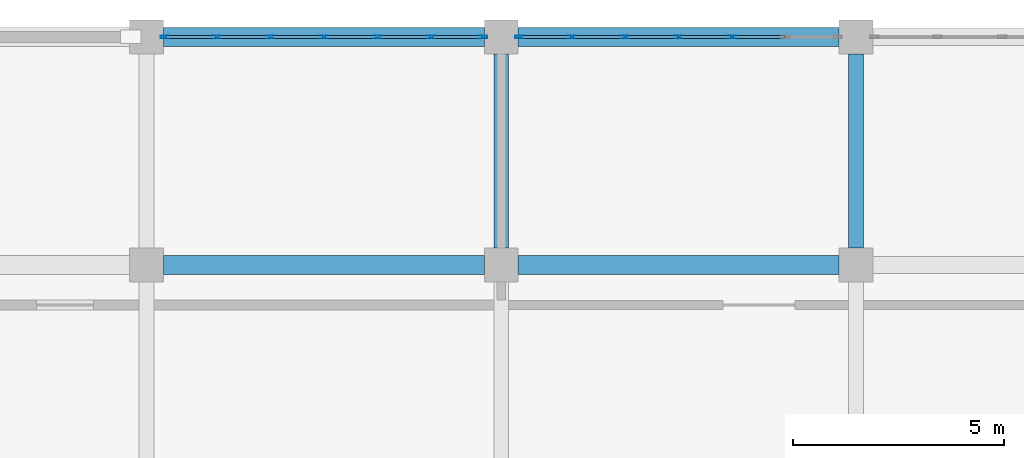
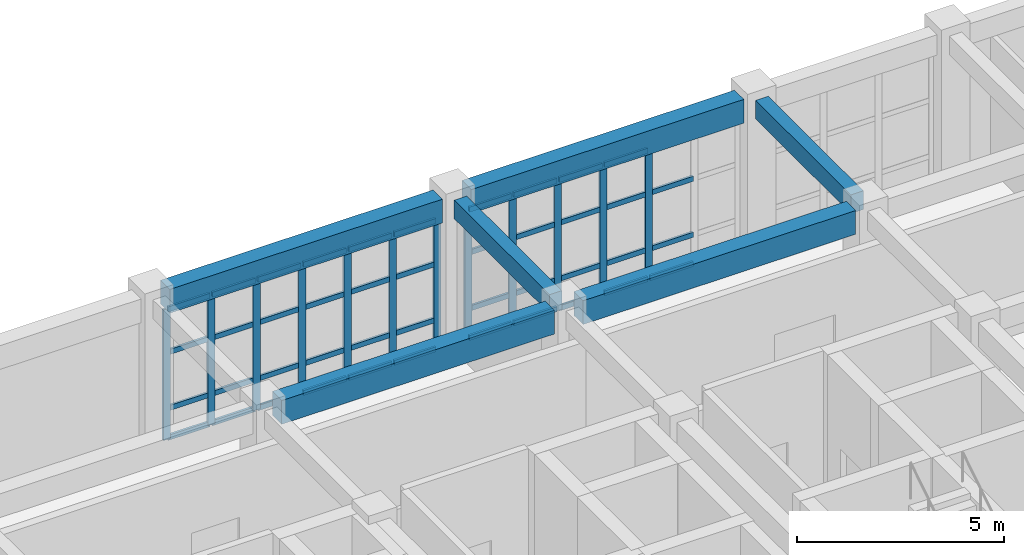
# One storey, part 49 of 76: 55 members, 6 beams, 2 elements without a shape of their own.
"""IFC4 building model written with IfcOpenShell, lengths in metres."""

from ifc_helpers import new_model, si_unit, direction, frame, origin, origin_2d, place, context, subcontext, project, spatial, rectangle, hollow_rectangle, extrude, material, layer, layer_set, material_profile, profile_set, type_object, element, aggregate, save


model = new_model("IFC4")

# Units and contexts
model_context = context("Model", 3, precision=1e-05, world=origin(), true_north=direction((0.0, 1.0)))
body_context = subcontext(model_context, "Body", "Model", "MODEL_VIEW")
ifc_project = project(units=[si_unit("LENGTHUNIT", "METRE"), si_unit("AREAUNIT", "SQUARE_METRE"), si_unit("VOLUMEUNIT", "CUBIC_METRE"), si_unit("PLANEANGLEUNIT", "RADIAN"), si_unit("MASSUNIT", "GRAM", prefix="KILO")], contexts=[model_context])

# Site, building, storey
site_placement = place(None, origin())
site = spatial("IfcSite", under=ifc_project, at=site_placement, CompositionType="ELEMENT")
building_placement = place(site_placement, origin())
building = spatial("IfcBuilding", under=site, at=building_placement, Name="Krzemoval Escarpment Law Courts", CompositionType="ELEMENT")
storey_placement = place(building_placement, frame((0.0, 0.0, 20.39990234375)))
storey = spatial("IfcBuildingStorey", under=building, at=storey_placement, Name="L04", CompositionType="ELEMENT", Elevation=20.39990234375)

# Beams
ifc_material_1 = material(Name="Concrete C40/50", Category="concrete")
ifc_material_profile_1 = material_profile(ifc_material_1, rectangle(XDim=0.35009765625, YDim=0.550048828125, at=origin_2d()), Name="RCB 350x550")
ifc_profile_set_1 = profile_set([ifc_material_profile_1], Name="Concrete C40/50")
beam_type_1 = type_object("IfcBeamType", Name="BM-RC-350x550", PredefinedType="BEAM", material=ifc_profile_set_1)
for number, where, z_axis, x_axis, name in (
    (1, (142.800048828125, 113.800048828125, 4.275146484375), (0.0, 1.0, 0.0), (-1.0, 0.0, 0.0), "Beam FG-L04-2523"),
    (2, (151.199951171875, 113.800048828125, 4.275146484375), (0.0, 1.0, 0.0), (-1.0, 0.0, 0.0), "Beam FG-L04-2527"),
):
    element("IfcBeam", number, at=place(storey_placement, frame(where, z_axis=z_axis, x_axis=x_axis)), inside=storey, type_object=beam_type_1, Name=name, PredefinedType="BEAM", context=body_context, shape_type="SweptSolid", body=[
        extrude(rectangle(XDim=0.35009765625, YDim=0.550048828125, at=origin_2d()), origin(), (0.0, 0.0, 1.0), 4.599853515625),
    ])
ifc_material_2 = material(Name="Concrete C40/50", Category="concrete")
ifc_material_profile_2 = material_profile(ifc_material_2, rectangle(XDim=0.449951171875, YDim=0.699951171875, at=origin_2d()), Name="RCB 450x700")
ifc_profile_set_2 = profile_set([ifc_material_profile_2], Name="Concrete C40/50")
beam_type_2 = type_object("IfcBeamType", Name="BM-RC-450x700", PredefinedType="BEAM", material=ifc_profile_set_2)
beam_1_placement = place(storey_placement, frame((134.800048828125, 113.39990234375, 4.2001953125), z_axis=(1.0, 0.0, 0.0), x_axis=(0.0, 1.0, 0.0)))
element("IfcBeam", 3, at=beam_1_placement, inside=storey, type_object=beam_type_2, Name="Beam FG-L04-2469", PredefinedType="BEAM", context=body_context, shape_type="SweptSolid", body=[
    extrude(rectangle(XDim=0.449951171875, YDim=0.699951171875, at=origin_2d()), origin(), (0.0, 0.0, 1.0), 7.599853515625),
])
beam_2_placement = place(storey_placement, frame((143.199951171875, 113.39990234375, 4.2001953125), z_axis=(1.0, 0.0, 0.0), x_axis=(0.0, 1.0, 0.0)))
element("IfcBeam", 4, at=beam_2_placement, inside=storey, type_object=beam_type_2, Name="Beam FG-L04-2470", PredefinedType="BEAM", context=body_context, shape_type="SweptSolid", body=[
    extrude(rectangle(XDim=0.449951171875, YDim=0.699951171875, at=origin_2d()), origin(), (0.0, 0.0, 1.0), 7.60009765625),
])
beam_3_placement = place(storey_placement, frame((134.800048828125, 118.800048828125, 4.2001953125), z_axis=(1.0, 0.0, 0.0), x_axis=(0.0, 1.0, 0.0)))
element("IfcBeam", 5, at=beam_3_placement, inside=storey, type_object=beam_type_2, Name="Beam FG-L04-2476", PredefinedType="BEAM", context=body_context, shape_type="SweptSolid", body=[
    extrude(rectangle(XDim=0.449951171875, YDim=0.699951171875, at=origin_2d()), origin(), (0.0, 0.0, 1.0), 7.599853515625),
])
beam_4_placement = place(storey_placement, frame((143.199951171875, 118.800048828125, 4.2001953125), z_axis=(1.0, 0.0, 0.0), x_axis=(0.0, 1.0, 0.0)))
element("IfcBeam", 6, at=beam_4_placement, inside=storey, type_object=beam_type_2, Name="Beam FG-L04-2477", PredefinedType="BEAM", context=body_context, shape_type="SweptSolid", body=[
    extrude(rectangle(XDim=0.449951171875, YDim=0.699951171875, at=origin_2d()), origin(), (0.0, 0.0, 1.0), 7.60009765625),
])

# Curtain wall, members
ifc_material_3 = material(Name="Aluminium 6063-T6", Category="aluminium")
ifc_layer = layer(ifc_material_3, 0.219970703125)
ifc_layer_set = layer_set([ifc_layer], Name="Aluminium 6063-T6")
curtain_wall_type = type_object("IfcCurtainWallType", Name="CW-CHMB-4200", PredefinedType="USERDEFINED", material=ifc_layer_set)
curtain_wall_1_placement = place(storey_placement, origin())
curtain_wall_1 = element("IfcCurtainWall", 7, at=curtain_wall_1_placement, inside=storey, type_object=curtain_wall_type, Name="Unitised Curtain Wall FCW-L04-126", ObjectType="UNITISED_CURTAIN_WALL", PredefinedType="USERDEFINED")
ifc_material_4 = material(Name="Aluminium 6063-T6", Category="aluminium")
ifc_material_profile_3 = material_profile(ifc_material_4, hollow_rectangle(XDim=0.06494140625, YDim=0.199951171875, WallThickness=0.00439453125, at=origin_2d()), Name="ALU M65x200")
ifc_profile_set_3 = profile_set([ifc_material_profile_3], Name="Aluminium 6063-T6")
member_type_1 = type_object("IfcMemberType", Name="CWM-65x200", PredefinedType="MULLION", material=ifc_profile_set_3)
member_1_placement = place(storey_placement, frame((134.83251953125, 118.800048828125, 0.0), z_axis=(0.0, 0.0, 1.0), x_axis=(0.0, 1.0, 0.0)))
member_1 = element("IfcMember", 8, at=member_1_placement, type_object=member_type_1, Name="FCW-L04-126 mullion 1", PredefinedType="MULLION", context=body_context, shape_type="SweptSolid", body=[
    extrude(hollow_rectangle(XDim=0.06494140625, YDim=0.199951171875, WallThickness=0.00439453125, at=origin_2d()), origin(), (0.0, 0.0, 1.0), 3.85009765625),
])
member_2_placement = place(storey_placement, frame((136.066650390625, 118.800048828125, 0.0), z_axis=(0.0, 0.0, 1.0), x_axis=(0.0, 1.0, 0.0)))
member_2 = element("IfcMember", 9, at=member_2_placement, type_object=member_type_1, Name="FCW-L04-126 mullion 2", PredefinedType="MULLION", context=body_context, shape_type="SweptSolid", body=[
    extrude(hollow_rectangle(XDim=0.06494140625, YDim=0.199951171875, WallThickness=0.00439453125, at=origin_2d()), origin(), (0.0, 0.0, 1.0), 3.85009765625),
])
member_3_placement = place(storey_placement, frame((137.333251953125, 118.800048828125, 0.0), z_axis=(0.0, 0.0, 1.0), x_axis=(0.0, 1.0, 0.0)))
member_3 = element("IfcMember", 10, at=member_3_placement, type_object=member_type_1, Name="FCW-L04-126 mullion 3", PredefinedType="MULLION", context=body_context, shape_type="SweptSolid", body=[
    extrude(hollow_rectangle(XDim=0.06494140625, YDim=0.199951171875, WallThickness=0.00439453125, at=origin_2d()), origin(), (0.0, 0.0, 1.0), 3.85009765625),
])
member_4_placement = place(storey_placement, frame((138.60009765625, 118.800048828125, 0.0), z_axis=(0.0, 0.0, 1.0), x_axis=(0.0, 1.0, 0.0)))
member_4 = element("IfcMember", 11, at=member_4_placement, type_object=member_type_1, Name="FCW-L04-126 mullion 4", PredefinedType="MULLION", context=body_context, shape_type="SweptSolid", body=[
    extrude(hollow_rectangle(XDim=0.06494140625, YDim=0.199951171875, WallThickness=0.00439453125, at=origin_2d()), origin(), (0.0, 0.0, 1.0), 3.85009765625),
])
member_5_placement = place(storey_placement, frame((139.86669921875, 118.800048828125, 0.0), z_axis=(0.0, 0.0, 1.0), x_axis=(0.0, 1.0, 0.0)))
member_5 = element("IfcMember", 12, at=member_5_placement, type_object=member_type_1, Name="FCW-L04-126 mullion 5", PredefinedType="MULLION", context=body_context, shape_type="SweptSolid", body=[
    extrude(hollow_rectangle(XDim=0.06494140625, YDim=0.199951171875, WallThickness=0.00439453125, at=origin_2d()), origin(), (0.0, 0.0, 1.0), 3.85009765625),
])
member_6_placement = place(storey_placement, frame((141.13330078125, 118.800048828125, 0.0), z_axis=(0.0, 0.0, 1.0), x_axis=(0.0, 1.0, 0.0)))
member_6 = element("IfcMember", 13, at=member_6_placement, type_object=member_type_1, Name="FCW-L04-126 mullion 6", PredefinedType="MULLION", context=body_context, shape_type="SweptSolid", body=[
    extrude(hollow_rectangle(XDim=0.06494140625, YDim=0.199951171875, WallThickness=0.00439453125, at=origin_2d()), origin(), (0.0, 0.0, 1.0), 3.85009765625),
])
member_7_placement = place(storey_placement, frame((142.367431640625, 118.800048828125, 0.0), z_axis=(0.0, 0.0, 1.0), x_axis=(0.0, 1.0, 0.0)))
member_7 = element("IfcMember", 14, at=member_7_placement, type_object=member_type_1, Name="FCW-L04-126 mullion 7", PredefinedType="MULLION", context=body_context, shape_type="SweptSolid", body=[
    extrude(hollow_rectangle(XDim=0.06494140625, YDim=0.199951171875, WallThickness=0.00439453125, at=origin_2d()), origin(), (0.0, 0.0, 1.0), 3.85009765625),
])

curtain_wall_2_placement = place(storey_placement, origin())
curtain_wall_2 = element("IfcCurtainWall", 15, at=curtain_wall_2_placement, inside=storey, type_object=curtain_wall_type, Name="Unitised Curtain Wall FCW-L04-127", ObjectType="UNITISED_CURTAIN_WALL", PredefinedType="USERDEFINED")
member_8_placement = place(storey_placement, frame((143.232421875, 118.800048828125, 0.0), z_axis=(0.0, 0.0, 1.0), x_axis=(0.0, 1.0, 0.0)))
member_8 = element("IfcMember", 16, at=member_8_placement, type_object=member_type_1, Name="FCW-L04-127 mullion 1", PredefinedType="MULLION", context=body_context, shape_type="SweptSolid", body=[
    extrude(hollow_rectangle(XDim=0.06494140625, YDim=0.199951171875, WallThickness=0.00439453125, at=origin_2d()), origin(), (0.0, 0.0, 1.0), 3.85009765625),
])
member_9_placement = place(storey_placement, frame((144.466552734375, 118.800048828125, 0.0), z_axis=(0.0, 0.0, 1.0), x_axis=(0.0, 1.0, 0.0)))
member_9 = element("IfcMember", 17, at=member_9_placement, type_object=member_type_1, Name="FCW-L04-127 mullion 2", PredefinedType="MULLION", context=body_context, shape_type="SweptSolid", body=[
    extrude(hollow_rectangle(XDim=0.06494140625, YDim=0.199951171875, WallThickness=0.00439453125, at=origin_2d()), origin(), (0.0, 0.0, 1.0), 3.85009765625),
])
member_10_placement = place(storey_placement, frame((145.7333984375, 118.800048828125, 0.0), z_axis=(0.0, 0.0, 1.0), x_axis=(0.0, 1.0, 0.0)))
member_10 = element("IfcMember", 18, at=member_10_placement, type_object=member_type_1, Name="FCW-L04-127 mullion 3", PredefinedType="MULLION", context=body_context, shape_type="SweptSolid", body=[
    extrude(hollow_rectangle(XDim=0.06494140625, YDim=0.199951171875, WallThickness=0.00439453125, at=origin_2d()), origin(), (0.0, 0.0, 1.0), 3.85009765625),
])
member_11_placement = place(storey_placement, frame((147.0, 118.800048828125, 0.0), z_axis=(0.0, 0.0, 1.0), x_axis=(0.0, 1.0, 0.0)))
member_11 = element("IfcMember", 19, at=member_11_placement, type_object=member_type_1, Name="FCW-L04-127 mullion 4", PredefinedType="MULLION", context=body_context, shape_type="SweptSolid", body=[
    extrude(hollow_rectangle(XDim=0.06494140625, YDim=0.199951171875, WallThickness=0.00439453125, at=origin_2d()), origin(), (0.0, 0.0, 1.0), 3.85009765625),
])
member_12_placement = place(storey_placement, frame((148.2666015625, 118.800048828125, 0.0), z_axis=(0.0, 0.0, 1.0), x_axis=(0.0, 1.0, 0.0)))
member_12 = element("IfcMember", 20, at=member_12_placement, type_object=member_type_1, Name="FCW-L04-127 mullion 5", PredefinedType="MULLION", context=body_context, shape_type="SweptSolid", body=[
    extrude(hollow_rectangle(XDim=0.06494140625, YDim=0.199951171875, WallThickness=0.00439453125, at=origin_2d()), origin(), (0.0, 0.0, 1.0), 3.85009765625),
])

# Member
ifc_material_5 = material(Name="Aluminium 6063-T6", Category="aluminium")
ifc_material_profile_4 = material_profile(ifc_material_5, hollow_rectangle(XDim=0.06494140625, YDim=0.14990234375, WallThickness=0.00439453125, at=origin_2d()), Name="ALU T65x150")
ifc_profile_set_4 = profile_set([ifc_material_profile_4], Name="Aluminium 6063-T6")
member_type_2 = type_object("IfcMemberType", Name="CWT-65x150", PredefinedType="USERDEFINED", material=ifc_profile_set_4)
member_13_placement = place(storey_placement, frame((134.864990234375, 118.800048828125, 0.03271484375), z_axis=(1.0, 0.0, 0.0), x_axis=(0.0, 1.0, 0.0)))
member_13 = element("IfcMember", 21, at=member_13_placement, type_object=member_type_2, Name="FCW-L04-126 transom 1.1", ObjectType="TRANSOM", PredefinedType="USERDEFINED", context=body_context, shape_type="SweptSolid", body=[
    extrude(hollow_rectangle(XDim=0.06494140625, YDim=0.14990234375, WallThickness=0.00439453125, at=origin_2d()), origin(), (0.0, 0.0, 1.0), 1.169189453125),
])

member_14_placement = place(storey_placement, frame((134.864990234375, 118.800048828125, 0.900146484375), z_axis=(1.0, 0.0, 0.0), x_axis=(0.0, 1.0, 0.0)))
member_14 = element("IfcMember", 22, at=member_14_placement, type_object=member_type_2, Name="FCW-L04-126 transom 1.2", ObjectType="TRANSOM", PredefinedType="USERDEFINED", context=body_context, shape_type="SweptSolid", body=[
    extrude(hollow_rectangle(XDim=0.06494140625, YDim=0.14990234375, WallThickness=0.00439453125, at=origin_2d()), origin(), (0.0, 0.0, 1.0), 1.169189453125),
])

member_15_placement = place(storey_placement, frame((134.864990234375, 118.800048828125, 2.550048828125), z_axis=(1.0, 0.0, 0.0), x_axis=(0.0, 1.0, 0.0)))
member_15 = element("IfcMember", 23, at=member_15_placement, type_object=member_type_2, Name="FCW-L04-126 transom 1.3", ObjectType="TRANSOM", PredefinedType="USERDEFINED", context=body_context, shape_type="SweptSolid", body=[
    extrude(hollow_rectangle(XDim=0.06494140625, YDim=0.14990234375, WallThickness=0.00439453125, at=origin_2d()), origin(), (0.0, 0.0, 1.0), 1.169189453125),
])

member_16_placement = place(storey_placement, frame((134.864990234375, 118.800048828125, 3.817626953125), z_axis=(1.0, 0.0, 0.0), x_axis=(0.0, 1.0, 0.0)))
member_16 = element("IfcMember", 24, at=member_16_placement, type_object=member_type_2, Name="FCW-L04-126 transom 1.4", ObjectType="TRANSOM", PredefinedType="USERDEFINED", context=body_context, shape_type="SweptSolid", body=[
    extrude(hollow_rectangle(XDim=0.06494140625, YDim=0.14990234375, WallThickness=0.00439453125, at=origin_2d()), origin(), (0.0, 0.0, 1.0), 1.169189453125),
])

member_17_placement = place(storey_placement, frame((136.09912109375, 118.800048828125, 0.03271484375), z_axis=(1.0, 0.0, 0.0), x_axis=(0.0, 1.0, 0.0)))
member_17 = element("IfcMember", 25, at=member_17_placement, type_object=member_type_2, Name="FCW-L04-126 transom 2.1", ObjectType="TRANSOM", PredefinedType="USERDEFINED", context=body_context, shape_type="SweptSolid", body=[
    extrude(hollow_rectangle(XDim=0.06494140625, YDim=0.14990234375, WallThickness=0.00439453125, at=origin_2d()), origin(), (0.0, 0.0, 1.0), 1.20166015625),
])

member_18_placement = place(storey_placement, frame((136.09912109375, 118.800048828125, 0.900146484375), z_axis=(1.0, 0.0, 0.0), x_axis=(0.0, 1.0, 0.0)))
member_18 = element("IfcMember", 26, at=member_18_placement, type_object=member_type_2, Name="FCW-L04-126 transom 2.2", ObjectType="TRANSOM", PredefinedType="USERDEFINED", context=body_context, shape_type="SweptSolid", body=[
    extrude(hollow_rectangle(XDim=0.06494140625, YDim=0.14990234375, WallThickness=0.00439453125, at=origin_2d()), origin(), (0.0, 0.0, 1.0), 1.20166015625),
])

member_19_placement = place(storey_placement, frame((136.09912109375, 118.800048828125, 2.550048828125), z_axis=(1.0, 0.0, 0.0), x_axis=(0.0, 1.0, 0.0)))
member_19 = element("IfcMember", 27, at=member_19_placement, type_object=member_type_2, Name="FCW-L04-126 transom 2.3", ObjectType="TRANSOM", PredefinedType="USERDEFINED", context=body_context, shape_type="SweptSolid", body=[
    extrude(hollow_rectangle(XDim=0.06494140625, YDim=0.14990234375, WallThickness=0.00439453125, at=origin_2d()), origin(), (0.0, 0.0, 1.0), 1.20166015625),
])

member_20_placement = place(storey_placement, frame((136.09912109375, 118.800048828125, 3.817626953125), z_axis=(1.0, 0.0, 0.0), x_axis=(0.0, 1.0, 0.0)))
member_20 = element("IfcMember", 28, at=member_20_placement, type_object=member_type_2, Name="FCW-L04-126 transom 2.4", ObjectType="TRANSOM", PredefinedType="USERDEFINED", context=body_context, shape_type="SweptSolid", body=[
    extrude(hollow_rectangle(XDim=0.06494140625, YDim=0.14990234375, WallThickness=0.00439453125, at=origin_2d()), origin(), (0.0, 0.0, 1.0), 1.20166015625),
])

member_21_placement = place(storey_placement, frame((137.36572265625, 118.800048828125, 0.03271484375), z_axis=(1.0, 0.0, 0.0), x_axis=(0.0, 1.0, 0.0)))
member_21 = element("IfcMember", 29, at=member_21_placement, type_object=member_type_2, Name="FCW-L04-126 transom 3.1", ObjectType="TRANSOM", PredefinedType="USERDEFINED", context=body_context, shape_type="SweptSolid", body=[
    extrude(hollow_rectangle(XDim=0.06494140625, YDim=0.14990234375, WallThickness=0.00439453125, at=origin_2d()), origin(), (0.0, 0.0, 1.0), 1.20166015625),
])

member_22_placement = place(storey_placement, frame((137.36572265625, 118.800048828125, 0.900146484375), z_axis=(1.0, 0.0, 0.0), x_axis=(0.0, 1.0, 0.0)))
member_22 = element("IfcMember", 30, at=member_22_placement, type_object=member_type_2, Name="FCW-L04-126 transom 3.2", ObjectType="TRANSOM", PredefinedType="USERDEFINED", context=body_context, shape_type="SweptSolid", body=[
    extrude(hollow_rectangle(XDim=0.06494140625, YDim=0.14990234375, WallThickness=0.00439453125, at=origin_2d()), origin(), (0.0, 0.0, 1.0), 1.20166015625),
])

member_23_placement = place(storey_placement, frame((137.36572265625, 118.800048828125, 2.550048828125), z_axis=(1.0, 0.0, 0.0), x_axis=(0.0, 1.0, 0.0)))
member_23 = element("IfcMember", 31, at=member_23_placement, type_object=member_type_2, Name="FCW-L04-126 transom 3.3", ObjectType="TRANSOM", PredefinedType="USERDEFINED", context=body_context, shape_type="SweptSolid", body=[
    extrude(hollow_rectangle(XDim=0.06494140625, YDim=0.14990234375, WallThickness=0.00439453125, at=origin_2d()), origin(), (0.0, 0.0, 1.0), 1.20166015625),
])

member_24_placement = place(storey_placement, frame((137.36572265625, 118.800048828125, 3.817626953125), z_axis=(1.0, 0.0, 0.0), x_axis=(0.0, 1.0, 0.0)))
member_24 = element("IfcMember", 32, at=member_24_placement, type_object=member_type_2, Name="FCW-L04-126 transom 3.4", ObjectType="TRANSOM", PredefinedType="USERDEFINED", context=body_context, shape_type="SweptSolid", body=[
    extrude(hollow_rectangle(XDim=0.06494140625, YDim=0.14990234375, WallThickness=0.00439453125, at=origin_2d()), origin(), (0.0, 0.0, 1.0), 1.20166015625),
])

member_25_placement = place(storey_placement, frame((138.632568359375, 118.800048828125, 0.03271484375), z_axis=(1.0, 0.0, 0.0), x_axis=(0.0, 1.0, 0.0)))
member_25 = element("IfcMember", 33, at=member_25_placement, type_object=member_type_2, Name="FCW-L04-126 transom 4.1", ObjectType="TRANSOM", PredefinedType="USERDEFINED", context=body_context, shape_type="SweptSolid", body=[
    extrude(hollow_rectangle(XDim=0.06494140625, YDim=0.14990234375, WallThickness=0.00439453125, at=origin_2d()), origin(), (0.0, 0.0, 1.0), 1.20166015625),
])

member_26_placement = place(storey_placement, frame((138.632568359375, 118.800048828125, 0.900146484375), z_axis=(1.0, 0.0, 0.0), x_axis=(0.0, 1.0, 0.0)))
member_26 = element("IfcMember", 34, at=member_26_placement, type_object=member_type_2, Name="FCW-L04-126 transom 4.2", ObjectType="TRANSOM", PredefinedType="USERDEFINED", context=body_context, shape_type="SweptSolid", body=[
    extrude(hollow_rectangle(XDim=0.06494140625, YDim=0.14990234375, WallThickness=0.00439453125, at=origin_2d()), origin(), (0.0, 0.0, 1.0), 1.20166015625),
])

member_27_placement = place(storey_placement, frame((138.632568359375, 118.800048828125, 2.550048828125), z_axis=(1.0, 0.0, 0.0), x_axis=(0.0, 1.0, 0.0)))
member_27 = element("IfcMember", 35, at=member_27_placement, type_object=member_type_2, Name="FCW-L04-126 transom 4.3", ObjectType="TRANSOM", PredefinedType="USERDEFINED", context=body_context, shape_type="SweptSolid", body=[
    extrude(hollow_rectangle(XDim=0.06494140625, YDim=0.14990234375, WallThickness=0.00439453125, at=origin_2d()), origin(), (0.0, 0.0, 1.0), 1.20166015625),
])

member_28_placement = place(storey_placement, frame((138.632568359375, 118.800048828125, 3.817626953125), z_axis=(1.0, 0.0, 0.0), x_axis=(0.0, 1.0, 0.0)))
member_28 = element("IfcMember", 36, at=member_28_placement, type_object=member_type_2, Name="FCW-L04-126 transom 4.4", ObjectType="TRANSOM", PredefinedType="USERDEFINED", context=body_context, shape_type="SweptSolid", body=[
    extrude(hollow_rectangle(XDim=0.06494140625, YDim=0.14990234375, WallThickness=0.00439453125, at=origin_2d()), origin(), (0.0, 0.0, 1.0), 1.20166015625),
])

member_29_placement = place(storey_placement, frame((139.899169921875, 118.800048828125, 0.03271484375), z_axis=(1.0, 0.0, 0.0), x_axis=(0.0, 1.0, 0.0)))
member_29 = element("IfcMember", 37, at=member_29_placement, type_object=member_type_2, Name="FCW-L04-126 transom 5.1", ObjectType="TRANSOM", PredefinedType="USERDEFINED", context=body_context, shape_type="SweptSolid", body=[
    extrude(hollow_rectangle(XDim=0.06494140625, YDim=0.14990234375, WallThickness=0.00439453125, at=origin_2d()), origin(), (0.0, 0.0, 1.0), 1.20166015625),
])

member_30_placement = place(storey_placement, frame((139.899169921875, 118.800048828125, 0.900146484375), z_axis=(1.0, 0.0, 0.0), x_axis=(0.0, 1.0, 0.0)))
member_30 = element("IfcMember", 38, at=member_30_placement, type_object=member_type_2, Name="FCW-L04-126 transom 5.2", ObjectType="TRANSOM", PredefinedType="USERDEFINED", context=body_context, shape_type="SweptSolid", body=[
    extrude(hollow_rectangle(XDim=0.06494140625, YDim=0.14990234375, WallThickness=0.00439453125, at=origin_2d()), origin(), (0.0, 0.0, 1.0), 1.20166015625),
])

member_31_placement = place(storey_placement, frame((139.899169921875, 118.800048828125, 2.550048828125), z_axis=(1.0, 0.0, 0.0), x_axis=(0.0, 1.0, 0.0)))
member_31 = element("IfcMember", 39, at=member_31_placement, type_object=member_type_2, Name="FCW-L04-126 transom 5.3", ObjectType="TRANSOM", PredefinedType="USERDEFINED", context=body_context, shape_type="SweptSolid", body=[
    extrude(hollow_rectangle(XDim=0.06494140625, YDim=0.14990234375, WallThickness=0.00439453125, at=origin_2d()), origin(), (0.0, 0.0, 1.0), 1.20166015625),
])

member_32_placement = place(storey_placement, frame((139.899169921875, 118.800048828125, 3.817626953125), z_axis=(1.0, 0.0, 0.0), x_axis=(0.0, 1.0, 0.0)))
member_32 = element("IfcMember", 40, at=member_32_placement, type_object=member_type_2, Name="FCW-L04-126 transom 5.4", ObjectType="TRANSOM", PredefinedType="USERDEFINED", context=body_context, shape_type="SweptSolid", body=[
    extrude(hollow_rectangle(XDim=0.06494140625, YDim=0.14990234375, WallThickness=0.00439453125, at=origin_2d()), origin(), (0.0, 0.0, 1.0), 1.20166015625),
])

member_33_placement = place(storey_placement, frame((141.165771484375, 118.800048828125, 0.03271484375), z_axis=(1.0, 0.0, 0.0), x_axis=(0.0, 1.0, 0.0)))
member_33 = element("IfcMember", 41, at=member_33_placement, type_object=member_type_2, Name="FCW-L04-126 transom 6.1", ObjectType="TRANSOM", PredefinedType="USERDEFINED", context=body_context, shape_type="SweptSolid", body=[
    extrude(hollow_rectangle(XDim=0.06494140625, YDim=0.14990234375, WallThickness=0.00439453125, at=origin_2d()), origin(), (0.0, 0.0, 1.0), 1.169189453125),
])

member_34_placement = place(storey_placement, frame((141.165771484375, 118.800048828125, 0.900146484375), z_axis=(1.0, 0.0, 0.0), x_axis=(0.0, 1.0, 0.0)))
member_34 = element("IfcMember", 42, at=member_34_placement, type_object=member_type_2, Name="FCW-L04-126 transom 6.2", ObjectType="TRANSOM", PredefinedType="USERDEFINED", context=body_context, shape_type="SweptSolid", body=[
    extrude(hollow_rectangle(XDim=0.06494140625, YDim=0.14990234375, WallThickness=0.00439453125, at=origin_2d()), origin(), (0.0, 0.0, 1.0), 1.169189453125),
])

member_35_placement = place(storey_placement, frame((141.165771484375, 118.800048828125, 2.550048828125), z_axis=(1.0, 0.0, 0.0), x_axis=(0.0, 1.0, 0.0)))
member_35 = element("IfcMember", 43, at=member_35_placement, type_object=member_type_2, Name="FCW-L04-126 transom 6.3", ObjectType="TRANSOM", PredefinedType="USERDEFINED", context=body_context, shape_type="SweptSolid", body=[
    extrude(hollow_rectangle(XDim=0.06494140625, YDim=0.14990234375, WallThickness=0.00439453125, at=origin_2d()), origin(), (0.0, 0.0, 1.0), 1.169189453125),
])

member_36_placement = place(storey_placement, frame((141.165771484375, 118.800048828125, 3.817626953125), z_axis=(1.0, 0.0, 0.0), x_axis=(0.0, 1.0, 0.0)))
member_36 = element("IfcMember", 44, at=member_36_placement, type_object=member_type_2, Name="FCW-L04-126 transom 6.4", ObjectType="TRANSOM", PredefinedType="USERDEFINED", context=body_context, shape_type="SweptSolid", body=[
    extrude(hollow_rectangle(XDim=0.06494140625, YDim=0.14990234375, WallThickness=0.00439453125, at=origin_2d()), origin(), (0.0, 0.0, 1.0), 1.169189453125),
])

aggregate(curtain_wall_1, [member_1, member_2, member_3, member_4, member_5, member_6, member_7, member_13, member_14, member_15, member_16, member_17, member_18, member_19, member_20, member_21, member_22, member_23, member_24, member_25, member_26, member_27, member_28, member_29, member_30, member_31, member_32, member_33, member_34, member_35, member_36])

member_37_placement = place(storey_placement, frame((143.264892578125, 118.800048828125, 0.03271484375), z_axis=(1.0, 0.0, 0.0), x_axis=(0.0, 1.0, 0.0)))
member_37 = element("IfcMember", 45, at=member_37_placement, type_object=member_type_2, Name="FCW-L04-127 transom 1.1", ObjectType="TRANSOM", PredefinedType="USERDEFINED", context=body_context, shape_type="SweptSolid", body=[
    extrude(hollow_rectangle(XDim=0.06494140625, YDim=0.14990234375, WallThickness=0.00439453125, at=origin_2d()), origin(), (0.0, 0.0, 1.0), 1.169189453125),
])

member_38_placement = place(storey_placement, frame((143.264892578125, 118.800048828125, 0.900146484375), z_axis=(1.0, 0.0, 0.0), x_axis=(0.0, 1.0, 0.0)))
member_38 = element("IfcMember", 46, at=member_38_placement, type_object=member_type_2, Name="FCW-L04-127 transom 1.2", ObjectType="TRANSOM", PredefinedType="USERDEFINED", context=body_context, shape_type="SweptSolid", body=[
    extrude(hollow_rectangle(XDim=0.06494140625, YDim=0.14990234375, WallThickness=0.00439453125, at=origin_2d()), origin(), (0.0, 0.0, 1.0), 1.169189453125),
])

member_39_placement = place(storey_placement, frame((143.264892578125, 118.800048828125, 2.550048828125), z_axis=(1.0, 0.0, 0.0), x_axis=(0.0, 1.0, 0.0)))
member_39 = element("IfcMember", 47, at=member_39_placement, type_object=member_type_2, Name="FCW-L04-127 transom 1.3", ObjectType="TRANSOM", PredefinedType="USERDEFINED", context=body_context, shape_type="SweptSolid", body=[
    extrude(hollow_rectangle(XDim=0.06494140625, YDim=0.14990234375, WallThickness=0.00439453125, at=origin_2d()), origin(), (0.0, 0.0, 1.0), 1.169189453125),
])

member_40_placement = place(storey_placement, frame((143.264892578125, 118.800048828125, 3.817626953125), z_axis=(1.0, 0.0, 0.0), x_axis=(0.0, 1.0, 0.0)))
member_40 = element("IfcMember", 48, at=member_40_placement, type_object=member_type_2, Name="FCW-L04-127 transom 1.4", ObjectType="TRANSOM", PredefinedType="USERDEFINED", context=body_context, shape_type="SweptSolid", body=[
    extrude(hollow_rectangle(XDim=0.06494140625, YDim=0.14990234375, WallThickness=0.00439453125, at=origin_2d()), origin(), (0.0, 0.0, 1.0), 1.169189453125),
])

member_41_placement = place(storey_placement, frame((144.499267578125, 118.800048828125, 0.03271484375), z_axis=(1.0, 0.0, 0.0), x_axis=(0.0, 1.0, 0.0)))
member_41 = element("IfcMember", 49, at=member_41_placement, type_object=member_type_2, Name="FCW-L04-127 transom 2.1", ObjectType="TRANSOM", PredefinedType="USERDEFINED", context=body_context, shape_type="SweptSolid", body=[
    extrude(hollow_rectangle(XDim=0.06494140625, YDim=0.14990234375, WallThickness=0.00439453125, at=origin_2d()), origin(), (0.0, 0.0, 1.0), 1.20166015625),
])

member_42_placement = place(storey_placement, frame((144.499267578125, 118.800048828125, 0.900146484375), z_axis=(1.0, 0.0, 0.0), x_axis=(0.0, 1.0, 0.0)))
member_42 = element("IfcMember", 50, at=member_42_placement, type_object=member_type_2, Name="FCW-L04-127 transom 2.2", ObjectType="TRANSOM", PredefinedType="USERDEFINED", context=body_context, shape_type="SweptSolid", body=[
    extrude(hollow_rectangle(XDim=0.06494140625, YDim=0.14990234375, WallThickness=0.00439453125, at=origin_2d()), origin(), (0.0, 0.0, 1.0), 1.20166015625),
])

member_43_placement = place(storey_placement, frame((144.499267578125, 118.800048828125, 2.550048828125), z_axis=(1.0, 0.0, 0.0), x_axis=(0.0, 1.0, 0.0)))
member_43 = element("IfcMember", 51, at=member_43_placement, type_object=member_type_2, Name="FCW-L04-127 transom 2.3", ObjectType="TRANSOM", PredefinedType="USERDEFINED", context=body_context, shape_type="SweptSolid", body=[
    extrude(hollow_rectangle(XDim=0.06494140625, YDim=0.14990234375, WallThickness=0.00439453125, at=origin_2d()), origin(), (0.0, 0.0, 1.0), 1.20166015625),
])

member_44_placement = place(storey_placement, frame((144.499267578125, 118.800048828125, 3.817626953125), z_axis=(1.0, 0.0, 0.0), x_axis=(0.0, 1.0, 0.0)))
member_44 = element("IfcMember", 52, at=member_44_placement, type_object=member_type_2, Name="FCW-L04-127 transom 2.4", ObjectType="TRANSOM", PredefinedType="USERDEFINED", context=body_context, shape_type="SweptSolid", body=[
    extrude(hollow_rectangle(XDim=0.06494140625, YDim=0.14990234375, WallThickness=0.00439453125, at=origin_2d()), origin(), (0.0, 0.0, 1.0), 1.20166015625),
])

member_45_placement = place(storey_placement, frame((145.765869140625, 118.800048828125, 0.03271484375), z_axis=(1.0, 0.0, 0.0), x_axis=(0.0, 1.0, 0.0)))
member_45 = element("IfcMember", 53, at=member_45_placement, type_object=member_type_2, Name="FCW-L04-127 transom 3.1", ObjectType="TRANSOM", PredefinedType="USERDEFINED", context=body_context, shape_type="SweptSolid", body=[
    extrude(hollow_rectangle(XDim=0.06494140625, YDim=0.14990234375, WallThickness=0.00439453125, at=origin_2d()), origin(), (0.0, 0.0, 1.0), 1.20166015625),
])

member_46_placement = place(storey_placement, frame((145.765869140625, 118.800048828125, 0.900146484375), z_axis=(1.0, 0.0, 0.0), x_axis=(0.0, 1.0, 0.0)))
member_46 = element("IfcMember", 54, at=member_46_placement, type_object=member_type_2, Name="FCW-L04-127 transom 3.2", ObjectType="TRANSOM", PredefinedType="USERDEFINED", context=body_context, shape_type="SweptSolid", body=[
    extrude(hollow_rectangle(XDim=0.06494140625, YDim=0.14990234375, WallThickness=0.00439453125, at=origin_2d()), origin(), (0.0, 0.0, 1.0), 1.20166015625),
])

member_47_placement = place(storey_placement, frame((145.765869140625, 118.800048828125, 2.550048828125), z_axis=(1.0, 0.0, 0.0), x_axis=(0.0, 1.0, 0.0)))
member_47 = element("IfcMember", 55, at=member_47_placement, type_object=member_type_2, Name="FCW-L04-127 transom 3.3", ObjectType="TRANSOM", PredefinedType="USERDEFINED", context=body_context, shape_type="SweptSolid", body=[
    extrude(hollow_rectangle(XDim=0.06494140625, YDim=0.14990234375, WallThickness=0.00439453125, at=origin_2d()), origin(), (0.0, 0.0, 1.0), 1.20166015625),
])

member_48_placement = place(storey_placement, frame((145.765869140625, 118.800048828125, 3.817626953125), z_axis=(1.0, 0.0, 0.0), x_axis=(0.0, 1.0, 0.0)))
member_48 = element("IfcMember", 56, at=member_48_placement, type_object=member_type_2, Name="FCW-L04-127 transom 3.4", ObjectType="TRANSOM", PredefinedType="USERDEFINED", context=body_context, shape_type="SweptSolid", body=[
    extrude(hollow_rectangle(XDim=0.06494140625, YDim=0.14990234375, WallThickness=0.00439453125, at=origin_2d()), origin(), (0.0, 0.0, 1.0), 1.20166015625),
])

member_49_placement = place(storey_placement, frame((147.032470703125, 118.800048828125, 0.03271484375), z_axis=(1.0, 0.0, 0.0), x_axis=(0.0, 1.0, 0.0)))
member_49 = element("IfcMember", 57, at=member_49_placement, type_object=member_type_2, Name="FCW-L04-127 transom 4.1", ObjectType="TRANSOM", PredefinedType="USERDEFINED", context=body_context, shape_type="SweptSolid", body=[
    extrude(hollow_rectangle(XDim=0.06494140625, YDim=0.14990234375, WallThickness=0.00439453125, at=origin_2d()), origin(), (0.0, 0.0, 1.0), 1.20166015625),
])

member_50_placement = place(storey_placement, frame((147.032470703125, 118.800048828125, 0.900146484375), z_axis=(1.0, 0.0, 0.0), x_axis=(0.0, 1.0, 0.0)))
member_50 = element("IfcMember", 58, at=member_50_placement, type_object=member_type_2, Name="FCW-L04-127 transom 4.2", ObjectType="TRANSOM", PredefinedType="USERDEFINED", context=body_context, shape_type="SweptSolid", body=[
    extrude(hollow_rectangle(XDim=0.06494140625, YDim=0.14990234375, WallThickness=0.00439453125, at=origin_2d()), origin(), (0.0, 0.0, 1.0), 1.20166015625),
])

member_51_placement = place(storey_placement, frame((147.032470703125, 118.800048828125, 2.550048828125), z_axis=(1.0, 0.0, 0.0), x_axis=(0.0, 1.0, 0.0)))
member_51 = element("IfcMember", 59, at=member_51_placement, type_object=member_type_2, Name="FCW-L04-127 transom 4.3", ObjectType="TRANSOM", PredefinedType="USERDEFINED", context=body_context, shape_type="SweptSolid", body=[
    extrude(hollow_rectangle(XDim=0.06494140625, YDim=0.14990234375, WallThickness=0.00439453125, at=origin_2d()), origin(), (0.0, 0.0, 1.0), 1.20166015625),
])

member_52_placement = place(storey_placement, frame((147.032470703125, 118.800048828125, 3.817626953125), z_axis=(1.0, 0.0, 0.0), x_axis=(0.0, 1.0, 0.0)))
member_52 = element("IfcMember", 60, at=member_52_placement, type_object=member_type_2, Name="FCW-L04-127 transom 4.4", ObjectType="TRANSOM", PredefinedType="USERDEFINED", context=body_context, shape_type="SweptSolid", body=[
    extrude(hollow_rectangle(XDim=0.06494140625, YDim=0.14990234375, WallThickness=0.00439453125, at=origin_2d()), origin(), (0.0, 0.0, 1.0), 1.20166015625),
])

member_53_placement = place(storey_placement, frame((148.299072265625, 118.800048828125, 0.03271484375), z_axis=(1.0, 0.0, 0.0), x_axis=(0.0, 1.0, 0.0)))
member_53 = element("IfcMember", 61, at=member_53_placement, type_object=member_type_2, Name="FCW-L04-127 transom 5.1", ObjectType="TRANSOM", PredefinedType="USERDEFINED", context=body_context, shape_type="SweptSolid", body=[
    extrude(hollow_rectangle(XDim=0.06494140625, YDim=0.14990234375, WallThickness=0.00439453125, at=origin_2d()), origin(), (0.0, 0.0, 1.0), 1.20166015625),
])

member_54_placement = place(storey_placement, frame((148.299072265625, 118.800048828125, 0.900146484375), z_axis=(1.0, 0.0, 0.0), x_axis=(0.0, 1.0, 0.0)))
member_54 = element("IfcMember", 62, at=member_54_placement, type_object=member_type_2, Name="FCW-L04-127 transom 5.2", ObjectType="TRANSOM", PredefinedType="USERDEFINED", context=body_context, shape_type="SweptSolid", body=[
    extrude(hollow_rectangle(XDim=0.06494140625, YDim=0.14990234375, WallThickness=0.00439453125, at=origin_2d()), origin(), (0.0, 0.0, 1.0), 1.20166015625),
])

member_55_placement = place(storey_placement, frame((148.299072265625, 118.800048828125, 2.550048828125), z_axis=(1.0, 0.0, 0.0), x_axis=(0.0, 1.0, 0.0)))
member_55 = element("IfcMember", 63, at=member_55_placement, type_object=member_type_2, Name="FCW-L04-127 transom 5.3", ObjectType="TRANSOM", PredefinedType="USERDEFINED", context=body_context, shape_type="SweptSolid", body=[
    extrude(hollow_rectangle(XDim=0.06494140625, YDim=0.14990234375, WallThickness=0.00439453125, at=origin_2d()), origin(), (0.0, 0.0, 1.0), 1.20166015625),
])

aggregate(curtain_wall_2, [member_8, member_9, member_10, member_11, member_12, member_37, member_38, member_39, member_40, member_41, member_42, member_43, member_44, member_45, member_46, member_47, member_48, member_49, member_50, member_51, member_52, member_53, member_54, member_55])

save(model, "model.ifc")
